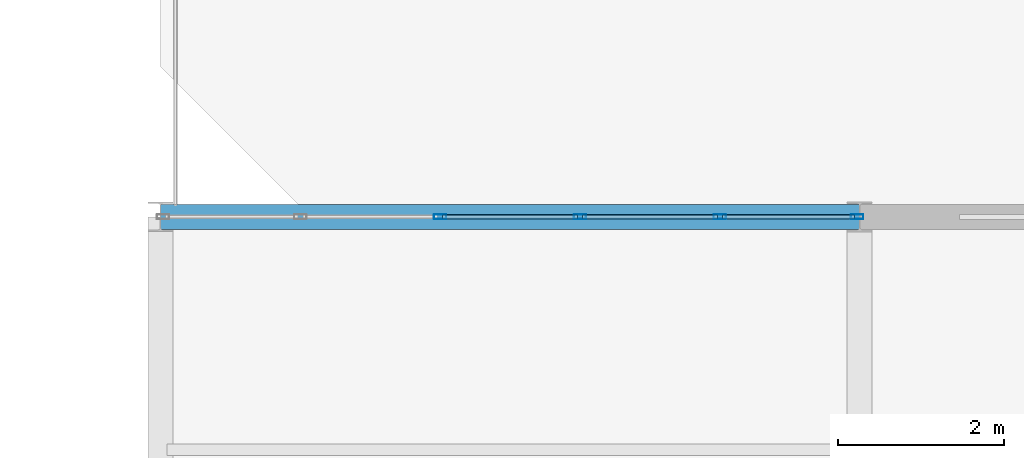
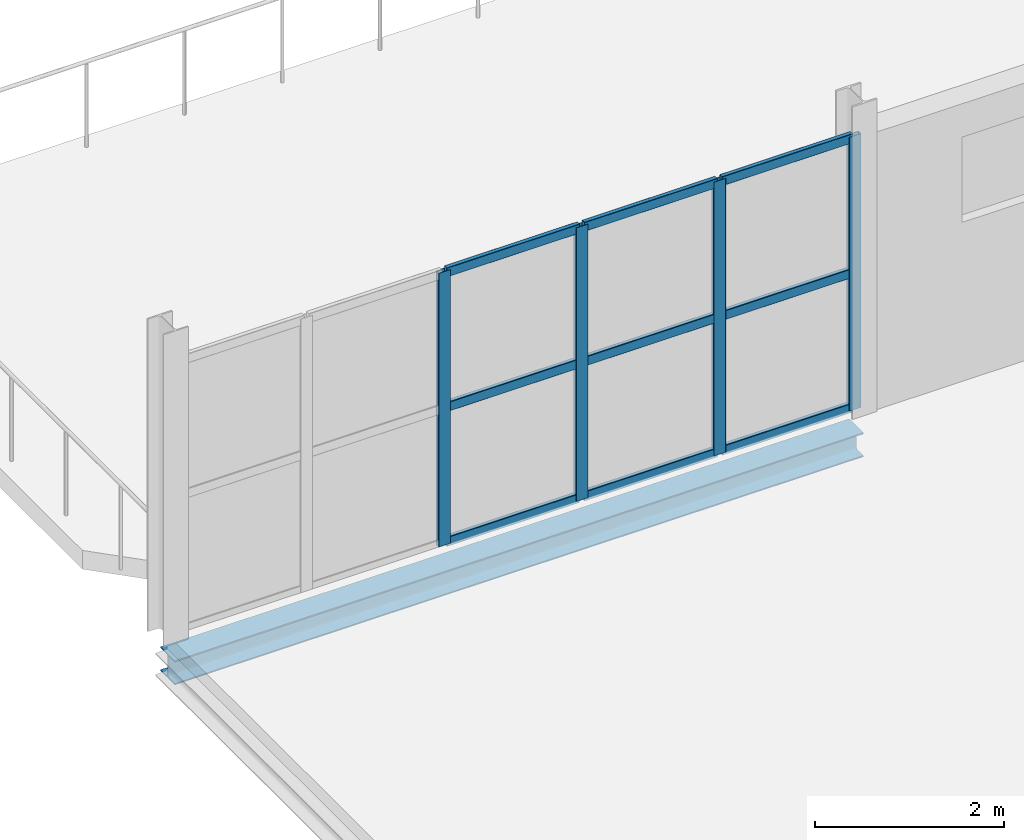
# One storey, part 100 of 184: 13 members, 1 beam, 1 element without a shape of its own.
"""IFC4 building model written with IfcOpenShell, lengths in metres."""

from ifc_helpers import new_model, si_unit, direction, frame, origin, origin_2d, place, context, subcontext, project, spatial, hollow_rectangle, i_section, extrude, material, layer, layer_set, material_profile, profile_set, type_object, element, aggregate, save


model = new_model("IFC4")

# Units and contexts
model_context = context("Model", 3, precision=1e-05, world=origin(), true_north=direction((0.0, 1.0)))
body_context = subcontext(model_context, "Body", "Model", "MODEL_VIEW")
ifc_project = project(units=[si_unit("LENGTHUNIT", "METRE"), si_unit("AREAUNIT", "SQUARE_METRE"), si_unit("VOLUMEUNIT", "CUBIC_METRE"), si_unit("PLANEANGLEUNIT", "RADIAN"), si_unit("MASSUNIT", "GRAM", prefix="KILO")], contexts=[model_context])

# Site, building, storey
site_placement = place(None, origin())
site = spatial("IfcSite", under=ifc_project, at=site_placement, CompositionType="ELEMENT")
building_placement = place(site_placement, origin())
building = spatial("IfcBuilding", under=site, at=building_placement, Name="Qalvenar Corner Mobility Hub", CompositionType="ELEMENT")
storey_placement = place(building_placement, frame((0.0, 0.0, 9.0)))
storey = spatial("IfcBuildingStorey", under=building, at=storey_placement, Name="L02", CompositionType="ELEMENT", Elevation=9.0)

# Beam
ifc_material_1 = material(Name="Steel S355", Category="steel")
ifc_material_profile_1 = material_profile(ifc_material_1, i_section(OverallWidth=0.300048828125, OverallDepth=0.31005859375, WebThickness=0.009033203125, FlangeThickness=0.015380859375, FilletRadius=0.027099609375, at=origin_2d()), Name="HEA320")
ifc_profile_set_1 = profile_set([ifc_material_profile_1], Name="Steel S355")
beam_type = type_object("IfcBeamType", Name="BM-SPN320", PredefinedType="SPANDREL", material=ifc_profile_set_1)
beam_placement = place(storey_placement, frame((109.199951171875, 42.0, -0.39697265625), z_axis=(1.0, 0.0, 0.0), x_axis=(0.0, 1.0, 0.0)))
element("IfcBeam", 1, at=beam_placement, inside=storey, type_object=beam_type, Name="Primary Steel Girder GX-1704", PredefinedType="SPANDREL", context=body_context, shape_type="SweptSolid", body=[
    extrude(i_section(OverallWidth=0.300048828125, OverallDepth=0.31005859375, WebThickness=0.009033203125, FlangeThickness=0.015380859375, FilletRadius=0.027099609375, at=origin_2d()), origin(), (0.0, 0.0, 1.0), 8.400146484375),
])

# Curtain wall, members
ifc_material_2 = material(Name="Anodised Aluminium and Low-E Glazing", Category="aluminium")
ifc_layer = layer(ifc_material_2, 0.14990234375)
ifc_layer_set = layer_set([ifc_layer], Name="Anodised Aluminium and Low-E Glazing")
curtain_wall_type = type_object("IfcCurtainWallType", Name="CW-WKS-84X44", PredefinedType="NOTDEFINED", material=ifc_layer_set)
curtain_wall_placement = place(storey_placement, origin())
curtain_wall = element("IfcCurtainWall", 2, at=curtain_wall_placement, inside=storey, type_object=curtain_wall_type, Name="Glazed Curtain Wall CW-V6-L02-N0", PredefinedType="NOTDEFINED")
ifc_material_3 = material(Name="Anodised Aluminium 6063-T6", Category="aluminium")
ifc_material_profile_2 = material_profile(ifc_material_3, hollow_rectangle(XDim=0.06005859375, YDim=0.14990234375, WallThickness=0.00390625, InnerFilletRadius=0.00390625, OuterFilletRadius=0.008056640625, at=origin_2d()), Name="RHS150x60x4")
ifc_profile_set_2 = profile_set([ifc_material_profile_2], Name="Anodised Aluminium 6063-T6")
member_type_1 = type_object("IfcMemberType", Name="CW-MUL150", PredefinedType="MULLION", material=ifc_profile_set_2)
member_1_placement = place(storey_placement, frame((117.570068359375, 42.0, 0.0), z_axis=(0.0, 0.0, 1.0), x_axis=(0.0, -1.0, 0.0)))
member_1 = element("IfcMember", 3, at=member_1_placement, type_object=member_type_1, Name="CW-09 mullion 1", PredefinedType="MULLION", context=body_context, shape_type="SweptSolid", body=[
    extrude(hollow_rectangle(XDim=0.06005859375, YDim=0.14990234375, WallThickness=0.00390625, InnerFilletRadius=0.00390625, OuterFilletRadius=0.008056640625, at=origin_2d()), origin(), (0.0, 0.0, 1.0), 3.530029296875),
])
member_2_placement = place(storey_placement, frame((115.919921875, 42.0, 0.0), z_axis=(0.0, 0.0, 1.0), x_axis=(0.0, -1.0, 0.0)))
member_2 = element("IfcMember", 4, at=member_2_placement, type_object=member_type_1, Name="CW-09 mullion 2", PredefinedType="MULLION", context=body_context, shape_type="SweptSolid", body=[
    extrude(hollow_rectangle(XDim=0.06005859375, YDim=0.14990234375, WallThickness=0.00390625, InnerFilletRadius=0.00390625, OuterFilletRadius=0.008056640625, at=origin_2d()), origin(), (0.0, 0.0, 1.0), 3.530029296875),
])
member_3_placement = place(storey_placement, frame((114.239990234375, 42.0, 0.0), z_axis=(0.0, 0.0, 1.0), x_axis=(0.0, -1.0, 0.0)))
member_3 = element("IfcMember", 5, at=member_3_placement, type_object=member_type_1, Name="CW-09 mullion 3", PredefinedType="MULLION", context=body_context, shape_type="SweptSolid", body=[
    extrude(hollow_rectangle(XDim=0.06005859375, YDim=0.14990234375, WallThickness=0.00390625, InnerFilletRadius=0.00390625, OuterFilletRadius=0.008056640625, at=origin_2d()), origin(), (0.0, 0.0, 1.0), 3.530029296875),
])
member_4_placement = place(storey_placement, frame((112.56005859375, 42.0, 0.0), z_axis=(0.0, 0.0, 1.0), x_axis=(0.0, -1.0, 0.0)))
member_4 = element("IfcMember", 6, at=member_4_placement, type_object=member_type_1, Name="CW-09 mullion 4", PredefinedType="MULLION", context=body_context, shape_type="SweptSolid", body=[
    extrude(hollow_rectangle(XDim=0.06005859375, YDim=0.14990234375, WallThickness=0.00390625, InnerFilletRadius=0.00390625, OuterFilletRadius=0.008056640625, at=origin_2d()), origin(), (0.0, 0.0, 1.0), 3.530029296875),
])
ifc_material_profile_3 = material_profile(ifc_material_3, hollow_rectangle(XDim=0.054931640625, YDim=0.1201171875, WallThickness=0.00341796875, InnerFilletRadius=0.00341796875, OuterFilletRadius=0.007080078125, at=origin_2d()), Name="RHS120x55x3.5")
ifc_profile_set_3 = profile_set([ifc_material_profile_3], Name="Anodised Aluminium 6063-T6")
member_type_2 = type_object("IfcMemberType", Name="CW-TRN120", PredefinedType="USERDEFINED", material=ifc_profile_set_3)
member_5_placement = place(storey_placement, frame((117.5400390625, 42.0, 0.027587890625), z_axis=(-1.0, 0.0, 0.0), x_axis=(0.0, -1.0, 0.0)))
member_5 = element("IfcMember", 7, at=member_5_placement, type_object=member_type_2, Name="CW-09 transom 1.1", ObjectType="TRANSOM", PredefinedType="USERDEFINED", context=body_context, shape_type="SweptSolid", body=[
    extrude(hollow_rectangle(XDim=0.054931640625, YDim=0.1201171875, WallThickness=0.00341796875, InnerFilletRadius=0.00341796875, OuterFilletRadius=0.007080078125, at=origin_2d()), origin(), (0.0, 0.0, 1.0), 1.590087890625),
])
member_6_placement = place(storey_placement, frame((117.5400390625, 42.0, 1.764892578125), z_axis=(-1.0, 0.0, 0.0), x_axis=(0.0, -1.0, 0.0)))
member_6 = element("IfcMember", 8, at=member_6_placement, type_object=member_type_2, Name="CW-09 transom 1.2", ObjectType="TRANSOM", PredefinedType="USERDEFINED", context=body_context, shape_type="SweptSolid", body=[
    extrude(hollow_rectangle(XDim=0.054931640625, YDim=0.1201171875, WallThickness=0.00341796875, InnerFilletRadius=0.00341796875, OuterFilletRadius=0.007080078125, at=origin_2d()), origin(), (0.0, 0.0, 1.0), 1.590087890625),
])
member_7_placement = place(storey_placement, frame((117.5400390625, 42.0, 3.50244140625), z_axis=(-1.0, 0.0, 0.0), x_axis=(0.0, -1.0, 0.0)))
member_7 = element("IfcMember", 9, at=member_7_placement, type_object=member_type_2, Name="CW-09 transom 1.3", ObjectType="TRANSOM", PredefinedType="USERDEFINED", context=body_context, shape_type="SweptSolid", body=[
    extrude(hollow_rectangle(XDim=0.054931640625, YDim=0.1201171875, WallThickness=0.00341796875, InnerFilletRadius=0.00341796875, OuterFilletRadius=0.007080078125, at=origin_2d()), origin(), (0.0, 0.0, 1.0), 1.590087890625),
])
member_8_placement = place(storey_placement, frame((115.889892578125, 42.0, 0.027587890625), z_axis=(-1.0, 0.0, 0.0), x_axis=(0.0, -1.0, 0.0)))
member_8 = element("IfcMember", 10, at=member_8_placement, type_object=member_type_2, Name="CW-09 transom 2.1", ObjectType="TRANSOM", PredefinedType="USERDEFINED", context=body_context, shape_type="SweptSolid", body=[
    extrude(hollow_rectangle(XDim=0.054931640625, YDim=0.1201171875, WallThickness=0.00341796875, InnerFilletRadius=0.00341796875, OuterFilletRadius=0.007080078125, at=origin_2d()), origin(), (0.0, 0.0, 1.0), 1.619873046875),
])
member_9_placement = place(storey_placement, frame((115.889892578125, 42.0, 1.764892578125), z_axis=(-1.0, 0.0, 0.0), x_axis=(0.0, -1.0, 0.0)))
member_9 = element("IfcMember", 11, at=member_9_placement, type_object=member_type_2, Name="CW-09 transom 2.2", ObjectType="TRANSOM", PredefinedType="USERDEFINED", context=body_context, shape_type="SweptSolid", body=[
    extrude(hollow_rectangle(XDim=0.054931640625, YDim=0.1201171875, WallThickness=0.00341796875, InnerFilletRadius=0.00341796875, OuterFilletRadius=0.007080078125, at=origin_2d()), origin(), (0.0, 0.0, 1.0), 1.619873046875),
])
member_10_placement = place(storey_placement, frame((115.889892578125, 42.0, 3.50244140625), z_axis=(-1.0, 0.0, 0.0), x_axis=(0.0, -1.0, 0.0)))
member_10 = element("IfcMember", 12, at=member_10_placement, type_object=member_type_2, Name="CW-09 transom 2.3", ObjectType="TRANSOM", PredefinedType="USERDEFINED", context=body_context, shape_type="SweptSolid", body=[
    extrude(hollow_rectangle(XDim=0.054931640625, YDim=0.1201171875, WallThickness=0.00341796875, InnerFilletRadius=0.00341796875, OuterFilletRadius=0.007080078125, at=origin_2d()), origin(), (0.0, 0.0, 1.0), 1.619873046875),
])
member_11_placement = place(storey_placement, frame((114.2099609375, 42.0, 0.027587890625), z_axis=(-1.0, 0.0, 0.0), x_axis=(0.0, -1.0, 0.0)))
member_11 = element("IfcMember", 13, at=member_11_placement, type_object=member_type_2, Name="CW-09 transom 3.1", ObjectType="TRANSOM", PredefinedType="USERDEFINED", context=body_context, shape_type="SweptSolid", body=[
    extrude(hollow_rectangle(XDim=0.054931640625, YDim=0.1201171875, WallThickness=0.00341796875, InnerFilletRadius=0.00341796875, OuterFilletRadius=0.007080078125, at=origin_2d()), origin(), (0.0, 0.0, 1.0), 1.619873046875),
])
member_12_placement = place(storey_placement, frame((114.2099609375, 42.0, 1.764892578125), z_axis=(-1.0, 0.0, 0.0), x_axis=(0.0, -1.0, 0.0)))
member_12 = element("IfcMember", 14, at=member_12_placement, type_object=member_type_2, Name="CW-09 transom 3.2", ObjectType="TRANSOM", PredefinedType="USERDEFINED", context=body_context, shape_type="SweptSolid", body=[
    extrude(hollow_rectangle(XDim=0.054931640625, YDim=0.1201171875, WallThickness=0.00341796875, InnerFilletRadius=0.00341796875, OuterFilletRadius=0.007080078125, at=origin_2d()), origin(), (0.0, 0.0, 1.0), 1.619873046875),
])
member_13_placement = place(storey_placement, frame((114.2099609375, 42.0, 3.50244140625), z_axis=(-1.0, 0.0, 0.0), x_axis=(0.0, -1.0, 0.0)))
member_13 = element("IfcMember", 15, at=member_13_placement, type_object=member_type_2, Name="CW-09 transom 3.3", ObjectType="TRANSOM", PredefinedType="USERDEFINED", context=body_context, shape_type="SweptSolid", body=[
    extrude(hollow_rectangle(XDim=0.054931640625, YDim=0.1201171875, WallThickness=0.00341796875, InnerFilletRadius=0.00341796875, OuterFilletRadius=0.007080078125, at=origin_2d()), origin(), (0.0, 0.0, 1.0), 1.619873046875),
])
aggregate(curtain_wall, [member_1, member_2, member_3, member_4, member_5, member_6, member_7, member_8, member_9, member_10, member_11, member_12, member_13])

save(model, "model.ifc")
